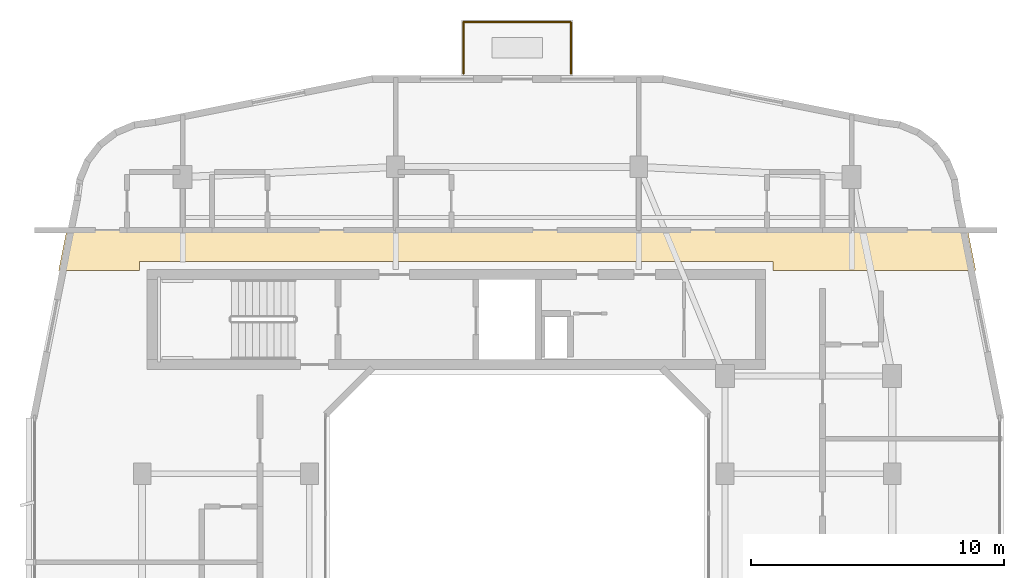
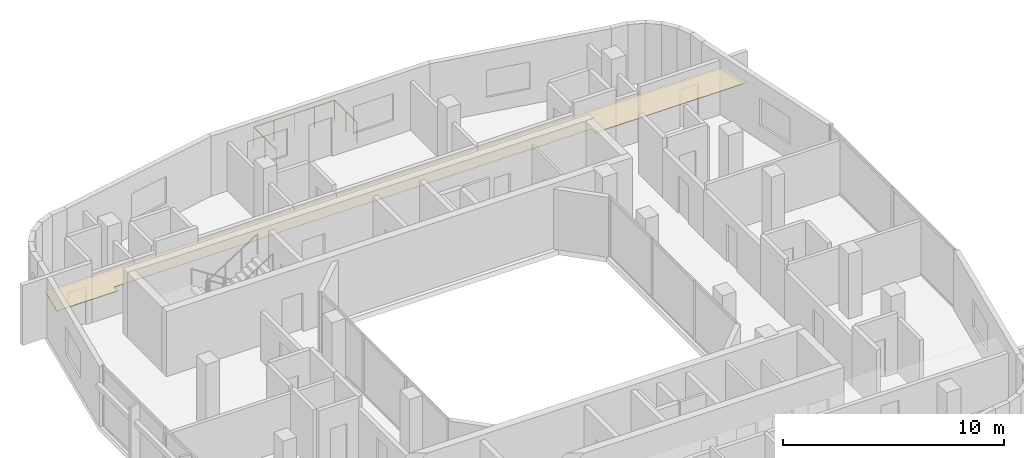
# One storey, part 13 of 13: 3 railings, 1 covering.
"""IFC4 building model written with IfcOpenShell, lengths in metres."""

from ifc_helpers import new_model, si_unit, derived_unit, direction, frame, origin, origin_2d, place, context, subcontext, project, spatial, polyline, circle, outline, extrude, material, layer, layer_set, type_object, element, save


model = new_model("IFC4")

# Units and contexts
model_context = context("Model", 3, precision=1e-05, world=origin(), true_north=direction((0.0, 1.0)))
body_context = subcontext(model_context, "Body", "Model", "MODEL_VIEW")
ifc_project = project(units=[si_unit("LENGTHUNIT", "METRE"), si_unit("AREAUNIT", "SQUARE_METRE"), si_unit("VOLUMEUNIT", "CUBIC_METRE"), si_unit("PLANEANGLEUNIT", "RADIAN"), si_unit("MASSUNIT", "GRAM", prefix="KILO"), derived_unit("THERMALTRANSMITTANCEUNIT", [(si_unit("POWERUNIT", "WATT"), 1), (si_unit("LENGTHUNIT", "METRE"), -2), (si_unit("THERMODYNAMICTEMPERATUREUNIT", "KELVIN"), -1)])], contexts=[model_context])

# Site, building, storey
site_placement = place(None, origin())
site = spatial("IfcSite", under=ifc_project, at=site_placement, CompositionType="ELEMENT")
building_placement = place(site_placement, origin())
building = spatial("IfcBuilding", under=site, at=building_placement, Name="Kivonza Crest Hotel", CompositionType="ELEMENT")
storey_placement = place(building_placement, frame((0.0, 0.0, 220.699951171875)))
storey = spatial("IfcBuildingStorey", under=building, at=storey_placement, Name="L60", CompositionType="ELEMENT", Elevation=220.699951171875)

# Covering
ifc_material_1 = material(Name="Moisture-resistant gypsum plasterboard ceiling", Category="gypsum")
ifc_layer = layer(ifc_material_1, 0.030029296875)
ifc_layer_set = layer_set([ifc_layer], Name="Moisture-resistant gypsum plasterboard ceiling")
covering_type = type_object("IfcCoveringType", Name="CV-CEIL-GYP", PredefinedType="CEILING", material=ifc_layer_set)
covering_placement = place(storey_placement, frame((0.0, 0.0, 2.449951171875)))
element("IfcCovering", 1, at=covering_placement, inside=storey, type_object=covering_type, Name="L60 Hotel North Guest Corridor suspended ceiling", PredefinedType="CEILING", context=body_context, shape_type="SweptSolid", body=[
    extrude(outline(polyline([(3.22802734375, 38.139892578125), (2.906005859375, 36.52001953125), (6.10009765625, 36.52001953125), (6.10009765625, 36.860107421875), (31.10009765625, 36.860107421875), (31.10009765625, 36.52001953125), (39.093994140625, 36.52001953125), (38.77197265625, 38.139892578125), (3.22802734375, 38.139892578125)])), origin(), (0.0, 0.0, 1.0), 0.030029296875),
])

# Railings
ifc_material_2 = material(Name="Laminated glass and stainless steel balustrade", Category="steel")
railing_type = type_object("IfcRailingType", Name="RL-TERR-1150", PredefinedType="BALUSTRADE", material=ifc_material_2)
railing_1_placement = place(storey_placement, frame((18.8798828125, 44.280029296875, 0.0)))
element("IfcRailing", 2, at=railing_1_placement, inside=storey, type_object=railing_type, Name="L60 T1-L60-SG-NE perimeter safety balustrade 1", PredefinedType="BALUSTRADE", context=body_context, shape_type="SweptSolid", body=[
    extrude(circle(Radius=0.02392578125, at=origin_2d()), frame((0.0, 0.0, 1.1259765625), z_axis=(0.0, 1.0, 0.0), x_axis=(-1.0, 0.0, 0.0)), (0.0, 0.0, 1.0), 2.0400390625),
    extrude(circle(Radius=0.02099609375, at=origin_2d()), origin(), (0.0, 0.0, 1.0), 1.101806640625),
    extrude(circle(Radius=0.02099609375, at=origin_2d()), frame((0.0, 1.02001953125, 0.0)), (0.0, 0.0, 1.0), 1.101806640625),
    extrude(circle(Radius=0.02099609375, at=origin_2d()), frame((0.0, 2.0400390625, 0.0)), (0.0, 0.0, 1.0), 1.101806640625),
])
railing_2_placement = place(storey_placement, frame((18.8798828125, 46.320068359375, 0.0)))
element("IfcRailing", 3, at=railing_2_placement, inside=storey, type_object=railing_type, Name="L60 T1-L60-SG-NE perimeter safety balustrade 2", PredefinedType="BALUSTRADE", context=body_context, shape_type="SweptSolid", body=[
    extrude(circle(Radius=0.02392578125, at=origin_2d()), frame((0.0, 0.0, 1.1259765625), z_axis=(1.0, 0.0, 0.0), x_axis=(0.0, 1.0, 0.0)), (0.0, 0.0, 1.0), 4.240234375),
    extrude(circle(Radius=0.02099609375, at=origin_2d()), origin(), (0.0, 0.0, 1.0), 1.101806640625),
    extrude(circle(Radius=0.02099609375, at=origin_2d()), frame((1.06005859375, 0.0, 0.0)), (0.0, 0.0, 1.0), 1.101806640625),
    extrude(circle(Radius=0.02099609375, at=origin_2d()), frame((2.1201171875, 0.0, 0.0)), (0.0, 0.0, 1.0), 1.101806640625),
    extrude(circle(Radius=0.02099609375, at=origin_2d()), frame((3.18017578125, 0.0, 0.0)), (0.0, 0.0, 1.0), 1.101806640625),
    extrude(circle(Radius=0.02099609375, at=origin_2d()), frame((4.240234375, 0.0, 0.0)), (0.0, 0.0, 1.0), 1.101806640625),
])
railing_3_placement = place(storey_placement, frame((23.1201171875, 46.320068359375, 0.0)))
element("IfcRailing", 4, at=railing_3_placement, inside=storey, type_object=railing_type, Name="L60 T1-L60-SG-NE perimeter safety balustrade 3", PredefinedType="BALUSTRADE", context=body_context, shape_type="SweptSolid", body=[
    extrude(circle(Radius=0.02392578125, at=origin_2d()), frame((0.0, 0.0, 1.1259765625), z_axis=(0.0, -1.0, 0.0), x_axis=(1.0, 0.0, 0.0)), (0.0, 0.0, 1.0), 2.0400390625),
    extrude(circle(Radius=0.02099609375, at=origin_2d()), origin(), (0.0, 0.0, 1.0), 1.101806640625),
    extrude(circle(Radius=0.02099609375, at=origin_2d()), frame((0.0, -1.02001953125, 0.0)), (0.0, 0.0, 1.0), 1.101806640625),
    extrude(circle(Radius=0.02099609375, at=origin_2d()), frame((0.0, -2.0400390625, 0.0)), (0.0, 0.0, 1.0), 1.101806640625),
])

save(model, "model.ifc")
